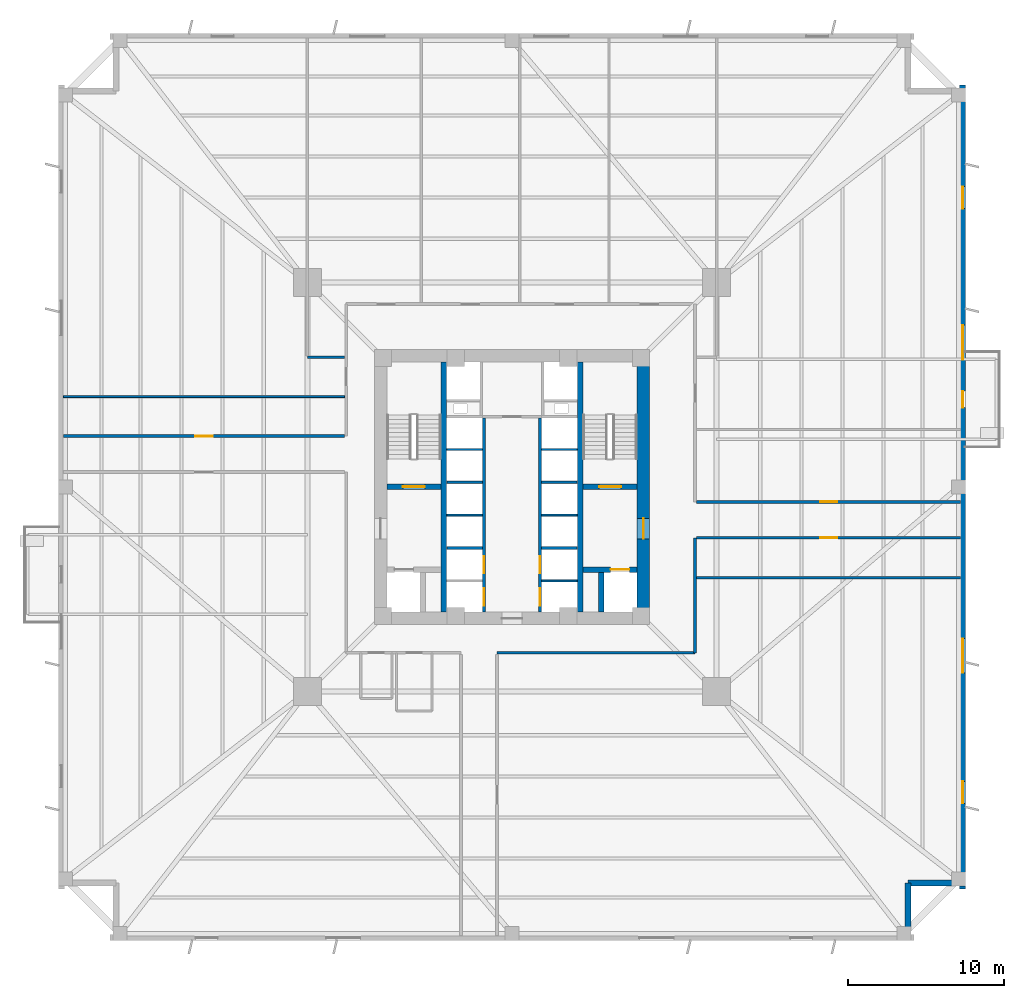
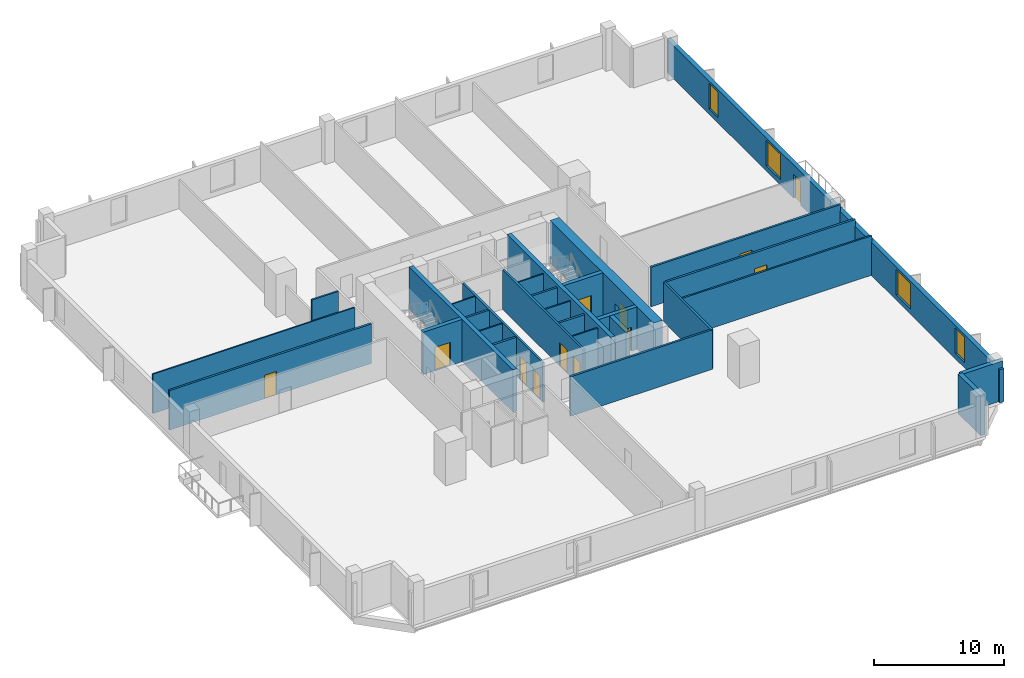
# One storey, part 3 of 8: 29 walls, 12 doors, 4 windows, 16 openings.
"""IFC4 building model written with IfcOpenShell, lengths in metres."""

import ifcopenshell
import ifcopenshell.guid

model = None  # the IFC model being written
_history = None  # IfcOwnerHistory: only IFC2X3 demands one
_inside = {}  # id of a spatial element -> (the spatial element, [elements in it])
_under = {}  # id of a project, library or spatial element -> (it, [spatial elements below it])
_declared = {}  # id of a project -> (the project, [libraries it declares])
_typed = {}  # id of a type object -> (the type object, [elements of that type])
_made_of = {}  # id of a material, layer set ... -> (it, [elements and type objects made of it])


def new_model(schema):
    """Start an empty IFC model of exactly this schema.

    Asked for "IFC4X3", IfcOpenShell would pick the latest addendum, in which some entities
    have other attributes; the version numbers below select the first issue.
    IFC2X3 requires an IfcOwnerHistory on every rooted entity: one is made here for all.
    """
    global model, _history
    if schema == "IFC4X3":
        model = ifcopenshell.file(schema_version=(4, 3, 0, 0))
    else:
        model = ifcopenshell.file(schema=schema)
    _inside.clear()
    _under.clear()
    _declared.clear()
    _typed.clear()
    _made_of.clear()
    _history = None
    if model.schema == "IFC2X3":
        org = make("IfcOrganization", Name="unknown")
        user = make(
            "IfcPersonAndOrganization",
            ThePerson=make("IfcPerson", FamilyName="unknown"),
            TheOrganization=org,
        )
        app = make(
            "IfcApplication",
            ApplicationDeveloper=org,
            Version="unknown",
            ApplicationFullName="unknown",
            ApplicationIdentifier="unknown",
        )
        _history = make(
            "IfcOwnerHistory",
            OwningUser=user,
            OwningApplication=app,
            ChangeAction="ADDED",
            CreationDate=0,
        )
    return model


def make(cls, **values):
    """One entity of the class cls with the attributes given. An attribute that is None is left unset."""
    return model.create_entity(
        cls, **{name: value for name, value in values.items() if value is not None}
    )


def rooted(cls, **values):
    """An entity with a GlobalId (a new one), such as an element, a storey or a relation."""
    return make(cls, GlobalId=ifcopenshell.guid.new(), OwnerHistory=_history, **values)


def si_unit(unit_type, name, prefix=None):
    """IfcSIUnit, for example si_unit("LENGTHUNIT", "METRE", prefix="MILLI")."""
    return make("IfcSIUnit", UnitType=unit_type, Prefix=prefix, Name=name)


def assignment(units):
    """IfcUnitAssignment: the units of a project."""
    return None if units is None else make("IfcUnitAssignment", Units=units)


def point(xyz):
    """IfcCartesianPoint."""
    return None if xyz is None else make("IfcCartesianPoint", Coordinates=xyz)


def direction(xyz):
    """IfcDirection."""
    return None if xyz is None else make("IfcDirection", DirectionRatios=xyz)


def frame(location, z_axis=None, x_axis=None):
    """IfcAxis2Placement3D, a coordinate frame: its origin and axes. An axis left out is left unset."""
    return make(
        "IfcAxis2Placement3D",
        Location=point(location),
        Axis=direction(z_axis),
        RefDirection=direction(x_axis),
    )


def frame_2d(location, x_axis=None):
    """IfcAxis2Placement2D, a coordinate frame in the plane: its origin and x axis."""
    return make(
        "IfcAxis2Placement2D", Location=point(location), RefDirection=direction(x_axis)
    )


def origin():
    """The frame at (0, 0, 0) with its axes left unset."""
    return frame((0.0, 0.0, 0.0))


def place(relative_to, where):
    """IfcLocalPlacement: puts the frame where relative to a parent placement (None: the world)."""
    return make(
        "IfcLocalPlacement", PlacementRelTo=relative_to, RelativePlacement=where
    )


def context(
    kind, dimensions, precision=None, world=None, true_north=None, identifier=None
):
    """IfcGeometricRepresentationContext, for example the 3D "Model" context."""
    return make(
        "IfcGeometricRepresentationContext",
        ContextIdentifier=identifier,
        ContextType=kind,
        CoordinateSpaceDimension=dimensions,
        Precision=precision,
        WorldCoordinateSystem=world,
        TrueNorth=true_north,
    )


def subcontext(parent, identifier, kind, view, scale=None):
    """IfcGeometricRepresentationSubContext, for example "Body" below "Model"."""
    return make(
        "IfcGeometricRepresentationSubContext",
        ContextIdentifier=identifier,
        ContextType=kind,
        ParentContext=parent,
        TargetScale=scale,
        TargetView=view,
    )


def project(units=None, contexts=None):
    """IfcProject with its units and contexts."""
    return rooted(
        "IfcProject",
        Name="project",
        RepresentationContexts=contexts,
        UnitsInContext=assignment(units),
    )


def spatial(cls, under=None, at=None, **own):
    """A site, building, storey or space (cls), placed at a placement, below another one or the project."""
    s = rooted(cls, ObjectPlacement=at, **own)
    if under is not None:
        _under.setdefault(under.id(), (under, []))[1].append(s)
    return s


def profile(cls, at=None, kind="AREA", **sizes):
    """A parametric profile (cls). Its sizes go by their IFC names, for example OverallWidth=200.0."""
    return make(cls, ProfileType=kind, Position=at, **sizes)


def rectangle(**sizes):
    """IfcRectangleProfileDef."""
    return profile("IfcRectangleProfileDef", **sizes)


def extrude(swept, where, along, depth):
    """IfcExtrudedAreaSolid: the profile swept, set in the frame where, extruded along a direction by depth."""
    return make(
        "IfcExtrudedAreaSolid",
        SweptArea=swept,
        Position=where,
        ExtrudedDirection=direction(along),
        Depth=depth,
    )


def shape(context_of_items, identifier, shape_type, items):
    """IfcShapeRepresentation: the items that make up one representation, for example the "Body"."""
    return make(
        "IfcShapeRepresentation",
        ContextOfItems=context_of_items,
        RepresentationIdentifier=identifier,
        RepresentationType=shape_type,
        Items=items,
    )


def source(mapping_origin, context_of_items, identifier, shape_type, items):
    """IfcRepresentationMap: a shape defined once, which mapped items show again and again."""
    return make(
        "IfcRepresentationMap",
        MappingOrigin=mapping_origin,
        MappedRepresentation=shape(context_of_items, identifier, shape_type, items),
    )


def transform(
    local_origin,
    x_axis=None,
    y_axis=None,
    z_axis=None,
    scale=None,
    scale2=None,
    scale3=None,
    uniform=True,
):
    """IfcCartesianTransformationOperator3D, or its non-uniform kind. x_axis, y_axis, z_axis: its Axis1, 2, 3."""
    if uniform:
        return make(
            "IfcCartesianTransformationOperator3D",
            Axis1=direction(x_axis),
            Axis2=direction(y_axis),
            LocalOrigin=point(local_origin),
            Scale=scale,
            Axis3=direction(z_axis),
        )
    return make(
        "IfcCartesianTransformationOperator3DnonUniform",
        Axis1=direction(x_axis),
        Axis2=direction(y_axis),
        LocalOrigin=point(local_origin),
        Scale=scale,
        Axis3=direction(z_axis),
        Scale2=scale2,
        Scale3=scale3,
    )


def mapped(mapping_source, mapping_target):
    """IfcMappedItem: shows the shape of a source again, moved by a transform."""
    return make(
        "IfcMappedItem", MappingSource=mapping_source, MappingTarget=mapping_target
    )


def material(Name=None, Category=None):
    """IfcMaterial."""
    return make("IfcMaterial", Name=Name, Category=Category)


def layer(
    of_material, thickness, ventilated=None, Name=None, Category=None, Priority=None
):
    """IfcMaterialLayer: one layer of a wall or slab, of a material (None: an air gap)."""
    return make(
        "IfcMaterialLayer",
        Material=of_material,
        LayerThickness=thickness,
        IsVentilated=ventilated,
        Name=Name,
        Category=Category,
        Priority=Priority,
    )


def layer_set(layers, Name=None):
    """IfcMaterialLayerSet."""
    return make("IfcMaterialLayerSet", MaterialLayers=layers, LayerSetName=Name)


def made_of(thing, what):
    """Note that an element or type object is made of a material, layer set ...; save() writes the relation."""
    if what is not None:
        _made_of.setdefault(what.id(), (what, []))[1].append(thing)
    return thing


def type_object(cls, material=None, **own):
    """A type object (cls), such as IfcWallType, which elements share."""
    return made_of(rooted(cls, **own), material)


def element(
    cls,
    number,
    at=None,
    inside=None,
    cuts=None,
    type_object=None,
    material=None,
    context=None,
    identifier="Body",
    shape_type=None,
    held_by="IfcProductDefinitionShape",
    body=None,
    shapes=None,
    **own,
):
    """One element of the class cls, such as IfcWall. Its Tag is "e" and its number.

    at: its placement. inside: the storey or other place that contains it. cuts: it is an
    opening in that element (IfcRelVoidsElement). A single representation is given by context,
    identifier, shape_type and body (its items); several are given by shapes. held_by: the class
    of the entity that holds the representations. save() writes the other relations.
    """
    e = rooted(cls, Tag="e%d" % number, ObjectPlacement=at, **own)
    if body is not None:
        shapes = [shape(context, identifier, shape_type, body)]
    if shapes is not None:
        e.Representation = make(held_by, Representations=shapes)
    if inside is not None:
        _inside.setdefault(inside.id(), (inside, []))[1].append(e)
    if cuts is not None:
        rooted(
            "IfcRelVoidsElement", RelatingBuildingElement=cuts, RelatedOpeningElement=e
        )
    if type_object is not None:
        _typed.setdefault(type_object.id(), (type_object, []))[1].append(e)
    return made_of(e, material)


def fill(opening, filler):
    """IfcRelFillsElement: the door or window that sits in an opening."""
    return rooted(
        "IfcRelFillsElement",
        RelatingOpeningElement=opening,
        RelatedBuildingElement=filler,
    )


def aggregate(whole, parts):
    """IfcRelAggregates: a whole, such as a stair, and the parts it consists of."""
    return rooted("IfcRelAggregates", RelatingObject=whole, RelatedObjects=parts)


def save(model, path):
    """Write the relations noted so far, then the file.

    IfcRelAggregates (storeys below a building ...), IfcRelContainedInSpatialStructure (elements
    in a storey), IfcRelDefinesByType, IfcRelAssociatesMaterial and IfcRelDeclares: one each for
    every whole, place, type object, material and project.
    """
    for whole, parts in _under.values():
        aggregate(whole, parts)
    for where, things in _inside.values():
        rooted(
            "IfcRelContainedInSpatialStructure",
            RelatedElements=things,
            RelatingStructure=where,
        )
    for kind, things in _typed.values():
        rooted("IfcRelDefinesByType", RelatedObjects=things, RelatingType=kind)
    for what, things in _made_of.values():
        rooted("IfcRelAssociatesMaterial", RelatedObjects=things, RelatingMaterial=what)
    for by, libraries in _declared.values():
        rooted("IfcRelDeclares", RelatingContext=by, RelatedDefinitions=libraries)
    model.write(path)


model = new_model("IFC4")

# Units and contexts
model_context = context("Model", 3, precision=1e-05, world=origin(), true_north=direction((0.0, 1.0)))
body_context = subcontext(model_context, "Body", "Model", "MODEL_VIEW")
ifc_project = project(units=[si_unit("LENGTHUNIT", "METRE"), si_unit("AREAUNIT", "SQUARE_METRE"), si_unit("VOLUMEUNIT", "CUBIC_METRE"), si_unit("PLANEANGLEUNIT", "RADIAN"), si_unit("MASSUNIT", "GRAM", prefix="KILO"), si_unit("THERMODYNAMICTEMPERATUREUNIT", "KELVIN")], contexts=[model_context])

# Site, building, storey
site_placement = place(None, origin())
site = spatial("IfcSite", under=ifc_project, at=site_placement, CompositionType="ELEMENT")
building_placement = place(site_placement, origin())
building = spatial("IfcBuilding", under=site, at=building_placement, Name="Kosmvard Interchange Tower", CompositionType="ELEMENT")
storey_placement = place(building_placement, frame((0.0, 0.0, 46.0)))
storey = spatial("IfcBuildingStorey", under=building, at=storey_placement, Name="L10", CompositionType="ELEMENT", Elevation=46.0)

# Walls
ifc_material_1 = material(Name="Acoustic gypsum partition system")
ifc_layer_1 = layer(ifc_material_1, 0.14990234375, Name="Acoustic gypsum partition system")
ifc_layer_set_1 = layer_set([ifc_layer_1], Name="Acoustic gypsum partition system")
wall_type_1 = type_object("IfcWallType", Name="Acoustic Suite & Meeting Partition 150", PredefinedType="PARTITIONING", material=ifc_layer_set_1)
wall_1_placement = place(storey_placement, frame((-10.695068359375, 8.300048828125, 0.0), z_axis=(0.0, 0.0, 1.0), x_axis=(-1.0, 0.0, 0.0)))
element("IfcWall", 1, at=wall_1_placement, inside=storey, type_object=wall_type_1, Name="L10 Room Partition 01.1", PredefinedType="PARTITIONING", context=body_context, shape_type="SweptSolid", body=[
    extrude(rectangle(XDim=2.385986328125, YDim=0.14990234375, at=frame_2d((1.19287109375, 0.0))), origin(), (0.0, 0.0, 1.0), 3.719970703125),
])
wall_2_placement = place(storey_placement, frame((11.794921875, -5.800048828125, 0.0), z_axis=(0.0, 0.0, 1.0), x_axis=(1.0, 0.0, 0.0)))
element("IfcWall", 2, at=wall_2_placement, inside=storey, type_object=wall_type_1, Name="L10 Room Partition 10.1", PredefinedType="PARTITIONING", context=body_context, shape_type="SweptSolid", body=[
    extrude(rectangle(XDim=16.89013671875, YDim=0.14990234375, at=frame_2d((8.445068359375, 0.0))), origin(), (0.0, 0.0, 1.0), 3.719970703125),
])

# Wall, openings, doors
ifc_material_2 = material(Name="Fire-rated gypsum partition system")
ifc_layer_2 = layer(ifc_material_2, 0.179931640625, Name="Fire-rated gypsum partition system")
ifc_layer_set_2 = layer_set([ifc_layer_2], Name="Fire-rated gypsum partition system")
wall_type_2 = type_object("IfcWallType", Name="Corridor & Hotel Compartment Partition 180", PredefinedType="PARTITIONING", material=ifc_layer_set_2)
wall_3_placement = place(storey_placement, frame((-1.7900390625, -7.97998046875, 0.0), z_axis=(0.0, 0.0, 1.0), x_axis=(0.0, 1.0, 0.0)))
wall_3 = element("IfcWall", 3, at=wall_3_placement, inside=storey, type_object=wall_type_2, Name="L10 West Lift Bank Front Wall", PredefinedType="PARTITIONING", context=body_context, shape_type="SweptSolid", body=[
    extrude(rectangle(XDim=12.3798828125, YDim=0.179931640625, at=frame_2d((6.18994140625, 0.0))), origin(), (0.0, 0.0, 1.0), 3.719970703125),
])
opening_1_placement = place(wall_3_placement, frame((0.39990234375, 0.0, 0.0)))
opening_1 = element("IfcOpeningElement", 4, at=opening_1_placement, cuts=wall_3, Name="Opening LD-PL-L1-L10", PredefinedType="OPENING", context=body_context, shape_type="SweptSolid", body=[
    extrude(rectangle(XDim=1.10009765625, YDim=2.199951171875, at=frame_2d((0.550048828125, 1.10009765625))), frame((0.0, 0.10009765625, 0.0), z_axis=(0.0, -1.0, 0.0), x_axis=(1.0, 0.0, 0.0)), (0.0, 0.0, 1.0), 0.199951171875),
])
opening_2_placement = place(wall_3_placement, frame((2.4599609375, 0.0, 0.0)))
opening_2 = element("IfcOpeningElement", 5, at=opening_2_placement, cuts=wall_3, Name="Opening LD-PL-L2-L10", PredefinedType="OPENING", context=body_context, shape_type="SweptSolid", body=[
    extrude(rectangle(XDim=1.10009765625, YDim=2.199951171875, at=frame_2d((0.550048828125, 1.10009765625))), frame((0.0, 0.10009765625, 0.0), z_axis=(0.0, -1.0, 0.0), x_axis=(1.0, 0.0, 0.0)), (0.0, 0.0, 1.0), 0.199951171875),
])
ifc_material_3 = material(Name="Brushed stainless steel sliding leaf", Category="steel")
door_type_1 = type_object("IfcDoorType", Name="Passenger Lift Sliding Landing Door 1100x2200 EI60", OperationType="DOUBLE_DOOR_SLIDING", PredefinedType="DOOR", material=ifc_material_3)
shared_shape_1 = source(origin(), body_context, "Body", "SweptSolid", [
    extrude(rectangle(XDim=1.10009765625, YDim=2.199951171875, at=frame_2d((0.550048828125, 1.10009765625))), frame((0.0, 0.02490234375, 0.0), z_axis=(0.0, -1.0, 0.0), x_axis=(1.0, 0.0, 0.0)), (0.0, 0.0, 1.0), 0.050048828125),
])
door_1_placement = place(opening_1_placement, frame((1.10009765625, 0.0, 0.0), z_axis=(0.0, 0.0, 1.0), x_axis=(-1.0, 0.0, 0.0)))
door_1 = element("IfcDoor", 6, at=door_1_placement, inside=storey, type_object=door_type_1, Name="Lift PL-L1 Landing Door L10", OperationType="DOUBLE_DOOR_SLIDING", OverallHeight=2.199951171875, OverallWidth=1.10009765625, PredefinedType="DOOR", context=body_context, shape_type="MappedRepresentation", body=[
    mapped(shared_shape_1, transform((0.0, 0.0, 0.0), scale=1.0)),
])
fill(opening_1, door_1)
door_2_placement = place(opening_2_placement, frame((1.10009765625, 0.0, 0.0), z_axis=(0.0, 0.0, 1.0), x_axis=(-1.0, 0.0, 0.0)))
door_2 = element("IfcDoor", 7, at=door_2_placement, inside=storey, type_object=door_type_1, Name="Lift PL-L2 Landing Door L10", OperationType="DOUBLE_DOOR_SLIDING", OverallHeight=2.199951171875, OverallWidth=1.10009765625, PredefinedType="DOOR", context=body_context, shape_type="MappedRepresentation", body=[
    mapped(shared_shape_1, transform((0.0, 0.0, 0.0), scale=1.0)),
])
fill(opening_2, door_2)

wall_4_placement = place(storey_placement, frame((1.7900390625, -7.97998046875, 0.0), z_axis=(0.0, 0.0, 1.0), x_axis=(0.0, 1.0, 0.0)))
wall_4 = element("IfcWall", 8, at=wall_4_placement, inside=storey, type_object=wall_type_2, Name="L10 East Lift Bank Front Wall", PredefinedType="PARTITIONING", context=body_context, shape_type="SweptSolid", body=[
    extrude(rectangle(XDim=12.3798828125, YDim=0.179931640625, at=frame_2d((6.18994140625, 0.0))), origin(), (0.0, 0.0, 1.0), 3.719970703125),
])
opening_3_placement = place(wall_4_placement, frame((0.39990234375, 0.0, 0.0)))
opening_3 = element("IfcOpeningElement", 9, at=opening_3_placement, cuts=wall_4, Name="Opening LD-PL-L3-L10", PredefinedType="OPENING", context=body_context, shape_type="SweptSolid", body=[
    extrude(rectangle(XDim=1.10009765625, YDim=2.199951171875, at=frame_2d((0.550048828125, 1.10009765625))), frame((0.0, 0.10009765625, 0.0), z_axis=(0.0, -1.0, 0.0), x_axis=(1.0, 0.0, 0.0)), (0.0, 0.0, 1.0), 0.199951171875),
])
opening_4_placement = place(wall_4_placement, frame((2.4599609375, 0.0, 0.0)))
opening_4 = element("IfcOpeningElement", 10, at=opening_4_placement, cuts=wall_4, Name="Opening LD-PL-L4-L10", PredefinedType="OPENING", context=body_context, shape_type="SweptSolid", body=[
    extrude(rectangle(XDim=1.10009765625, YDim=2.199951171875, at=frame_2d((0.550048828125, 1.10009765625))), frame((0.0, 0.10009765625, 0.0), z_axis=(0.0, -1.0, 0.0), x_axis=(1.0, 0.0, 0.0)), (0.0, 0.0, 1.0), 0.199951171875),
])
door_3_placement = place(opening_3_placement, origin())
door_3 = element("IfcDoor", 11, at=door_3_placement, inside=storey, type_object=door_type_1, Name="Lift PL-L3 Landing Door L10", OperationType="DOUBLE_DOOR_SLIDING", OverallHeight=2.199951171875, OverallWidth=1.10009765625, PredefinedType="DOOR", context=body_context, shape_type="MappedRepresentation", body=[
    mapped(shared_shape_1, transform((0.0, 0.0, 0.0), scale=1.0)),
])
fill(opening_3, door_3)
door_4_placement = place(opening_4_placement, origin())
door_4 = element("IfcDoor", 12, at=door_4_placement, inside=storey, type_object=door_type_1, Name="Lift PL-L4 Landing Door L10", OperationType="DOUBLE_DOOR_SLIDING", OverallHeight=2.199951171875, OverallWidth=1.10009765625, PredefinedType="DOOR", context=body_context, shape_type="MappedRepresentation", body=[
    mapped(shared_shape_1, transform((0.0, 0.0, 0.0), scale=1.0)),
])
fill(opening_4, door_4)

# Walls
wall_5_placement = place(storey_placement, frame((-0.949951171875, -10.60009765625, 0.0), z_axis=(0.0, 0.0, 1.0), x_axis=(1.0, 0.0, 0.0)))
element("IfcWall", 13, at=wall_5_placement, inside=storey, type_object=wall_type_2, Name="L10 Corridor Wall CSE", PredefinedType="PARTITIONING", context=body_context, shape_type="SweptSolid", body=[
    extrude(rectangle(XDim=12.64990234375, YDim=0.179931640625, at=frame_2d((6.324951171875, 0.0))), origin(), (0.0, 0.0, 1.0), 3.719970703125),
])
wall_6_placement = place(storey_placement, frame((11.699951171875, -10.60009765625, 0.0), z_axis=(0.0, 0.0, 1.0), x_axis=(0.0, 1.0, 0.0)))
element("IfcWall", 14, at=wall_6_placement, inside=storey, type_object=wall_type_2, Name="L10 Corridor Wall CES", PredefinedType="PARTITIONING", context=body_context, shape_type="SweptSolid", body=[
    extrude(rectangle(XDim=7.35009765625, YDim=0.179931640625, at=frame_2d((3.675048828125, 0.0))), origin(), (0.0, 0.0, 1.0), 3.719970703125),
])

# Wall, opening, door
wall_7_placement = place(storey_placement, frame((-28.68505859375, 3.25, 0.0), z_axis=(0.0, 0.0, 1.0), x_axis=(1.0, 0.0, 0.0)))
wall_7 = element("IfcWall", 15, at=wall_7_placement, inside=storey, type_object=wall_type_2, Name="L10 Corridor Wall SWN", PredefinedType="PARTITIONING", context=body_context, shape_type="SweptSolid", body=[
    extrude(rectangle(XDim=17.985107421875, YDim=0.179931640625, at=frame_2d((8.99267578125, 0.0))), origin(), (0.0, 0.0, 1.0), 3.719970703125),
])
opening_5_placement = place(wall_7_placement, frame((8.4423828125, 0.0, 0.0)))
opening_5 = element("IfcOpeningElement", 16, at=opening_5_placement, cuts=wall_7, Name="Opening L10-D03", PredefinedType="OPENING", context=body_context, shape_type="SweptSolid", body=[
    extrude(rectangle(XDim=1.10009765625, YDim=2.199951171875, at=frame_2d((0.550048828125, 1.10009765625))), frame((0.0, 0.10009765625, 0.0), z_axis=(0.0, -1.0, 0.0), x_axis=(1.0, 0.0, 0.0)), (0.0, 0.0, 1.0), 0.199951171875),
])
ifc_material_4 = material(Name="Engineered oak fire-rated timber", Category="wood")
door_type_2 = type_object("IfcDoorType", Name="Office Suite Entrance Door 1100x2200 FD30S", OperationType="NOTDEFINED", PredefinedType="DOOR", material=ifc_material_4)
door_5_placement = place(opening_5_placement, origin())
door_5 = element("IfcDoor", 17, at=door_5_placement, inside=storey, type_object=door_type_2, Name="L10 West Corner Office 1 Door", OperationType="SINGLE_SWING_LEFT", OverallHeight=2.199951171875, OverallWidth=1.10009765625, PredefinedType="DOOR", context=body_context, shape_type="MappedRepresentation", body=[
    mapped(shared_shape_1, transform((0.0, 0.0, 0.0), scale=1.0)),
])
fill(opening_5, door_5)

wall_8_placement = place(storey_placement, frame((11.800048828125, -3.25, 0.0), z_axis=(0.0, 0.0, 1.0), x_axis=(1.0, 0.0, 0.0)))
wall_8 = element("IfcWall", 18, at=wall_8_placement, inside=storey, type_object=wall_type_2, Name="L10 Corridor Wall SES", PredefinedType="PARTITIONING", context=body_context, shape_type="SweptSolid", body=[
    extrude(rectangle(XDim=16.885009765625, YDim=0.179931640625, at=frame_2d((8.4423828125, 0.0))), origin(), (0.0, 0.0, 1.0), 3.719970703125),
])
opening_6_placement = place(wall_8_placement, frame((7.892578125, 0.0, 0.0)))
opening_6 = element("IfcOpeningElement", 19, at=opening_6_placement, cuts=wall_8, Name="Opening L10-D11", PredefinedType="OPENING", context=body_context, shape_type="SweptSolid", body=[
    extrude(rectangle(XDim=1.10009765625, YDim=2.199951171875, at=frame_2d((0.550048828125, 1.10009765625))), frame((0.0, 0.10009765625, 0.0), z_axis=(0.0, -1.0, 0.0), x_axis=(1.0, 0.0, 0.0)), (0.0, 0.0, 1.0), 0.199951171875),
])
door_6_placement = place(opening_6_placement, frame((1.10009765625, 0.0, 0.0), z_axis=(0.0, 0.0, 1.0), x_axis=(-1.0, 0.0, 0.0)))
door_6 = element("IfcDoor", 20, at=door_6_placement, inside=storey, type_object=door_type_2, Name="L10 Staff Catering Pantry Door", OperationType="SINGLE_SWING_LEFT", OverallHeight=2.199951171875, OverallWidth=1.10009765625, PredefinedType="DOOR", context=body_context, shape_type="MappedRepresentation", body=[
    mapped(shared_shape_1, transform((0.0, 0.0, 0.0), scale=1.0)),
])
fill(opening_6, door_6)

wall_9_placement = place(storey_placement, frame((11.800048828125, -0.949951171875, 0.0), z_axis=(0.0, 0.0, 1.0), x_axis=(1.0, 0.0, 0.0)))
wall_9 = element("IfcWall", 21, at=wall_9_placement, inside=storey, type_object=wall_type_2, Name="L10 Corridor Wall SEN", PredefinedType="PARTITIONING", context=body_context, shape_type="SweptSolid", body=[
    extrude(rectangle(XDim=16.885009765625, YDim=0.179931640625, at=frame_2d((8.4423828125, 0.0))), origin(), (0.0, 0.0, 1.0), 3.719970703125),
])
opening_7_placement = place(wall_9_placement, frame((7.892578125, 0.0, 0.0)))
opening_7 = element("IfcOpeningElement", 22, at=opening_7_placement, cuts=wall_9, Name="Opening L10-D09", PredefinedType="OPENING", context=body_context, shape_type="SweptSolid", body=[
    extrude(rectangle(XDim=1.10009765625, YDim=2.199951171875, at=frame_2d((0.550048828125, 1.10009765625))), frame((0.0, 0.10009765625, 0.0), z_axis=(0.0, -1.0, 0.0), x_axis=(1.0, 0.0, 0.0)), (0.0, 0.0, 1.0), 0.199951171875),
])
door_7_placement = place(opening_7_placement, origin())
door_7 = element("IfcDoor", 23, at=door_7_placement, inside=storey, type_object=door_type_2, Name="L10 East Advisory Office 5 Door", OperationType="SINGLE_SWING_LEFT", OverallHeight=2.199951171875, OverallWidth=1.10009765625, PredefinedType="DOOR", context=body_context, shape_type="MappedRepresentation", body=[
    mapped(shared_shape_1, transform((0.0, 0.0, 0.0), scale=1.0)),
])
fill(opening_7, door_7)

ifc_material_5 = material(Name="Concrete C80/95", Category="concrete")
ifc_layer_3 = layer(ifc_material_5, 0.800048828125, Name="Concrete C80/95")
ifc_layer_set_3 = layer_set([ifc_layer_3], Name="Concrete C80/95")
wall_type_3 = type_object("IfcWallType", Name="Lower Core Shear Wall 800 C80/95", PredefinedType="SHEAR", material=ifc_layer_set_3)
wall_10_placement = place(storey_placement, frame((8.39990234375, -8.0, 0.0), z_axis=(0.0, 0.0, 1.0), x_axis=(0.0, 1.0, 0.0)))
wall_10 = element("IfcWall", 24, at=wall_10_placement, inside=storey, type_object=wall_type_3, Name="L10 Core Shear Wall CW-E", PredefinedType="SHEAR", context=body_context, shape_type="SweptSolid", body=[
    extrude(rectangle(XDim=16.0, YDim=0.800048828125, at=frame_2d((8.0, 0.0))), origin(), (0.0, 0.0, 1.0), 4.0),
])
opening_8_placement = place(wall_10_placement, frame((4.68994140625, 0.0, 0.0)))
opening_8 = element("IfcOpeningElement", 25, at=opening_8_placement, cuts=wall_10, Name="Opening L10-FD2", PredefinedType="OPENING", context=body_context, shape_type="SweptSolid", body=[
    extrude(rectangle(XDim=1.300048828125, YDim=2.199951171875, at=frame_2d((0.64990234375, 1.10009765625))), frame((0.0, 0.41015625, 0.0), z_axis=(0.0, -1.0, 0.0), x_axis=(1.0, 0.0, 0.0)), (0.0, 0.0, 1.0), 0.820068359375),
])
ifc_material_6 = material(Name="Painted fire-rated steel leaf", Category="steel")
door_type_3 = type_object("IfcDoorType", Name="Firefighting Lobby Door 1300x2200 EI60", OperationType="NOTDEFINED", PredefinedType="DOOR", material=ifc_material_6)
shared_shape_2 = source(origin(), body_context, "Body", "SweptSolid", [
    extrude(rectangle(XDim=1.300048828125, YDim=2.199951171875, at=frame_2d((0.64990234375, 1.10009765625))), frame((0.0, 0.02490234375, 0.0), z_axis=(0.0, -1.0, 0.0), x_axis=(1.0, 0.0, 0.0)), (0.0, 0.0, 1.0), 0.050048828125),
])
door_8_placement = place(opening_8_placement, origin())
door_8 = element("IfcDoor", 26, at=door_8_placement, inside=storey, type_object=door_type_3, Name="L10 Firefighting Lobby East Door", OperationType="SINGLE_SWING_RIGHT", OverallHeight=2.199951171875, OverallWidth=1.300048828125, PredefinedType="DOOR", context=body_context, shape_type="MappedRepresentation", body=[
    mapped(shared_shape_2, transform((0.0, 0.0, 0.0), scale=1.0)),
])
fill(opening_8, door_8)

# Walls
ifc_material_7 = material(Name="Precast concrete C45/55", Category="concrete")
ifc_layer_4 = layer(ifc_material_7, 0.3798828125, Name="Precast concrete C45/55")
ifc_layer_set_4 = layer_set([ifc_layer_4], Name="Precast concrete C45/55")
wall_type_4 = type_object("IfcWallType", Name="Lower Tower Precast Pier Wall 380 C45/55", PredefinedType="STANDARD", material=ifc_layer_set_4)
wall_11_placement = place(storey_placement, frame((25.31005859375, -28.81005859375, 0.0), z_axis=(0.0, 0.0, 1.0), x_axis=(0.0, 1.0, 0.0)))
element("IfcWall", 27, at=wall_11_placement, inside=storey, type_object=wall_type_4, Name="L10 Precast Facade Wall N-SE1", PredefinedType="STANDARD", context=body_context, shape_type="SweptSolid", body=[
    extrude(rectangle(XDim=3.5, YDim=0.3798828125, at=frame_2d((1.75, 0.0))), origin(), (0.0, 0.0, 1.0), 3.719970703125),
])
wall_12_placement = place(storey_placement, frame((25.31005859375, -25.31005859375, 0.0), z_axis=(0.0, 0.0, 1.0), x_axis=(1.0, 0.0, 0.0)))
element("IfcWall", 28, at=wall_12_placement, inside=storey, type_object=wall_type_4, Name="L10 Precast Facade Wall N-SE2", PredefinedType="STANDARD", context=body_context, shape_type="SweptSolid", body=[
    extrude(rectangle(XDim=3.68994140625, YDim=0.3798828125, at=frame_2d((1.844970703125, 0.0))), origin(), (0.0, 0.0, 1.0), 3.719970703125),
])

# Wall, openings, door, windows
wall_13_placement = place(storey_placement, frame((28.81005859375, -25.68994140625, 0.0), z_axis=(0.0, 0.0, 1.0), x_axis=(0.0, 1.0, 0.0)))
wall_13 = element("IfcWall", 29, at=wall_13_placement, inside=storey, type_object=wall_type_4, Name="L10 Precast Facade Wall F-E", PredefinedType="STANDARD", context=body_context, shape_type="SweptSolid", body=[
    extrude(rectangle(XDim=51.3798828125, YDim=0.3798828125, at=frame_2d((25.68994140625, 0.0))), origin(), (0.0, 0.0, 1.0), 3.1201171875),
])
opening_9_placement = place(wall_13_placement, frame((30.764892578125, 0.0, 0.0)))
opening_9 = element("IfcOpeningElement", 30, at=opening_9_placement, cuts=wall_13, Name="Opening L10-BDE", PredefinedType="OPENING", context=body_context, shape_type="SweptSolid", body=[
    extrude(rectangle(XDim=1.050048828125, YDim=2.25, at=frame_2d((0.52490234375, 1.125))), frame((0.0, 0.199951171875, 0.0), z_axis=(0.0, -1.0, 0.0), x_axis=(1.0, 0.0, 0.0)), (0.0, 0.0, 1.0), 0.39990234375),
])
opening_10_placement = place(wall_13_placement, frame((5.465576171875, 0.0, 0.489990234375)))
opening_10 = element("IfcOpeningElement", 31, at=opening_10_placement, cuts=wall_13, Name="Opening L10-W05", PredefinedType="OPENING", context=body_context, shape_type="SweptSolid", body=[
    extrude(rectangle(XDim=1.39990234375, YDim=2.39990234375, at=frame_2d((0.699951171875, 1.199951171875))), frame((0.0, 0.199951171875, 0.0), z_axis=(0.0, -1.0, 0.0), x_axis=(1.0, 0.0, 0.0)), (0.0, 0.0, 1.0), 0.39990234375),
])
opening_11_placement = place(wall_13_placement, frame((13.80029296875, 0.0, 0.489990234375)))
opening_11 = element("IfcOpeningElement", 32, at=opening_11_placement, cuts=wall_13, Name="Opening L10-W06", PredefinedType="OPENING", context=body_context, shape_type="SweptSolid", body=[
    extrude(rectangle(XDim=2.199951171875, YDim=2.39990234375, at=frame_2d((1.10009765625, 1.199951171875))), frame((0.0, 0.199951171875, 0.0), z_axis=(0.0, -1.0, 0.0), x_axis=(1.0, 0.0, 0.0)), (0.0, 0.0, 1.0), 0.39990234375),
])
opening_12_placement = place(wall_13_placement, frame((33.83837890625, 0.0, 0.489990234375)))
opening_12 = element("IfcOpeningElement", 33, at=opening_12_placement, cuts=wall_13, Name="Opening L10-W07", PredefinedType="OPENING", context=body_context, shape_type="SweptSolid", body=[
    extrude(rectangle(XDim=2.199951171875, YDim=2.39990234375, at=frame_2d((1.10009765625, 1.199951171875))), frame((0.0, 0.199951171875, 0.0), z_axis=(0.0, -1.0, 0.0), x_axis=(1.0, 0.0, 0.0)), (0.0, 0.0, 1.0), 0.39990234375),
])
opening_13_placement = place(wall_13_placement, frame((43.48681640625, 0.0, 0.489990234375)))
opening_13 = element("IfcOpeningElement", 34, at=opening_13_placement, cuts=wall_13, Name="Opening L10-W08", PredefinedType="OPENING", context=body_context, shape_type="SweptSolid", body=[
    extrude(rectangle(XDim=1.39990234375, YDim=2.39990234375, at=frame_2d((0.699951171875, 1.199951171875))), frame((0.0, 0.199951171875, 0.0), z_axis=(0.0, -1.0, 0.0), x_axis=(1.0, 0.0, 0.0)), (0.0, 0.0, 1.0), 0.39990234375),
])
ifc_material_8 = material(Name="Anodised aluminium and safety glass", Category="aluminium")
door_type_4 = type_object("IfcDoorType", Name="Tree-Balcony Glazed Door 1050x2250", OperationType="NOTDEFINED", PredefinedType="DOOR", material=ifc_material_8)
shared_shape_3 = source(origin(), body_context, "Body", "SweptSolid", [
    extrude(rectangle(XDim=1.050048828125, YDim=2.25, at=frame_2d((0.52490234375, 1.125))), frame((0.0, 0.02490234375, 0.0), z_axis=(0.0, -1.0, 0.0), x_axis=(1.0, 0.0, 0.0)), (0.0, 0.0, 1.0), 0.050048828125),
])
door_9_placement = place(opening_9_placement, origin())
door_9 = element("IfcDoor", 35, at=door_9_placement, inside=storey, type_object=door_type_4, Name="L10 Tree-Balcony Door BAL-L10-E", OperationType="SINGLE_SWING_LEFT", OverallHeight=2.25, OverallWidth=1.050048828125, PredefinedType="DOOR", context=body_context, shape_type="MappedRepresentation", body=[
    mapped(shared_shape_3, transform((0.0, 0.0, 0.0), scale=1.0)),
])
fill(opening_9, door_9)
ifc_material_9 = material(Name="Low-E solar-control double glazing", Category="glass")
window_type_1 = type_object("IfcWindowType", Name="Notched Corner Feature Window 1400x2400", PartitioningType="SINGLE_PANEL", PredefinedType="WINDOW", material=ifc_material_9)
shared_shape_4 = source(origin(), body_context, "Body", "SweptSolid", [
    extrude(rectangle(XDim=1.39990234375, YDim=2.39990234375, at=frame_2d((0.699951171875, 1.199951171875))), frame((0.0, 0.030029296875, 0.0), z_axis=(0.0, -1.0, 0.0), x_axis=(1.0, 0.0, 0.0)), (0.0, 0.0, 1.0), 0.06005859375),
])
window_1_placement = place(opening_10_placement, origin())
window_1 = element("IfcWindow", 36, at=window_1_placement, inside=storey, type_object=window_type_1, Name="L10 Facade Punched Window 05", OverallHeight=2.39990234375, OverallWidth=1.39990234375, PartitioningType="SINGLE_PANEL", PredefinedType="WINDOW", context=body_context, shape_type="MappedRepresentation", body=[
    mapped(shared_shape_4, transform((0.0, 0.0, 0.0), scale=1.0)),
])
fill(opening_10, window_1)
window_2_placement = place(opening_13_placement, origin())
window_2 = element("IfcWindow", 37, at=window_2_placement, inside=storey, type_object=window_type_1, Name="L10 Facade Punched Window 08", OverallHeight=2.39990234375, OverallWidth=1.39990234375, PartitioningType="SINGLE_PANEL", PredefinedType="WINDOW", context=body_context, shape_type="MappedRepresentation", body=[
    mapped(shared_shape_4, transform((0.0, 0.0, 0.0), scale=1.0)),
])
fill(opening_13, window_2)
window_type_2 = type_object("IfcWindowType", Name="Zone 1 Office Punched Window 2200x2400", PartitioningType="SINGLE_PANEL", PredefinedType="WINDOW", material=ifc_material_9)
shared_shape_5 = source(origin(), body_context, "Body", "SweptSolid", [
    extrude(rectangle(XDim=2.199951171875, YDim=2.39990234375, at=frame_2d((1.10009765625, 1.199951171875))), frame((0.0, 0.030029296875, 0.0), z_axis=(0.0, -1.0, 0.0), x_axis=(1.0, 0.0, 0.0)), (0.0, 0.0, 1.0), 0.06005859375),
])
window_3_placement = place(opening_11_placement, origin())
window_3 = element("IfcWindow", 38, at=window_3_placement, inside=storey, type_object=window_type_2, Name="L10 Facade Punched Window 06", OverallHeight=2.39990234375, OverallWidth=2.199951171875, PartitioningType="SINGLE_PANEL", PredefinedType="WINDOW", context=body_context, shape_type="MappedRepresentation", body=[
    mapped(shared_shape_5, transform((0.0, 0.0, 0.0), scale=1.0)),
])
fill(opening_11, window_3)
window_4_placement = place(opening_12_placement, origin())
window_4 = element("IfcWindow", 39, at=window_4_placement, inside=storey, type_object=window_type_2, Name="L10 Facade Punched Window 07", OverallHeight=2.39990234375, OverallWidth=2.199951171875, PartitioningType="SINGLE_PANEL", PredefinedType="WINDOW", context=body_context, shape_type="MappedRepresentation", body=[
    mapped(shared_shape_5, transform((0.0, 0.0, 0.0), scale=1.0)),
])
fill(opening_12, window_4)

# Walls
ifc_material_10 = material(Name="Gypsum board partition system")
ifc_layer_5 = layer(ifc_material_10, 0.1201171875, Name="Gypsum board partition system")
ifc_layer_set_5 = layer_set([ifc_layer_5], Name="Gypsum board partition system")
wall_type_5 = type_object("IfcWallType", Name="Office Cellular Partition 120", PredefinedType="PARTITIONING", material=ifc_layer_set_5)
wall_14_placement = place(storey_placement, frame((-28.68505859375, 5.77490234375, 0.0), z_axis=(0.0, 0.0, 1.0), x_axis=(1.0, 0.0, 0.0)))
element("IfcWall", 40, at=wall_14_placement, inside=storey, type_object=wall_type_5, Name="L10 Room Partition 08.1", PredefinedType="PARTITIONING", context=body_context, shape_type="SweptSolid", body=[
    extrude(rectangle(XDim=17.989990234375, YDim=0.1201171875, at=frame_2d((8.9951171875, 0.0))), origin(), (0.0, 0.0, 1.0), 3.719970703125),
])
ifc_material_11 = material(Name="Concrete blockwork masonry", Category="masonry")
ifc_layer_6 = layer(ifc_material_11, 0.179931640625, Name="Concrete blockwork masonry")
ifc_layer_set_6 = layer_set([ifc_layer_6], Name="Concrete blockwork masonry")
wall_type_6 = type_object("IfcWallType", Name="Riser & Lift Bank Divider Wall 180", PredefinedType="PARTITIONING", material=ifc_layer_set_6)
for number, where, z_axis, x_axis, name in (
    (41, (-4.169921875, -3.89990234375, 0.0), (0.0, 0.0, 1.0), (1.0, 0.0, 0.0), "L10 West Bank Divider BD1"),
    (42, (1.889892578125, -3.89990234375, 0.0), (0.0, 0.0, 1.0), (1.0, 0.0, 0.0), "L10 East Bank Divider BD1"),
    (43, (-4.169921875, 0.300048828125, 0.0), (0.0, 0.0, 1.0), (1.0, 0.0, 0.0), "L10 West Bank Divider BD2"),
    (44, (1.889892578125, 0.300048828125, 0.0), (0.0, 0.0, 1.0), (1.0, 0.0, 0.0), "L10 East Bank Divider BD2"),
):
    element("IfcWall", number, at=place(storey_placement, frame(where, z_axis=z_axis, x_axis=x_axis)), inside=storey, type_object=wall_type_6, Name=name, PredefinedType="PARTITIONING", context=body_context, shape_type="SweptSolid", body=[
        extrude(rectangle(XDim=2.280029296875, YDim=0.179931640625, at=frame_2d((1.14013671875, 0.0))), origin(), (0.0, 0.0, 1.0), 3.719970703125),
    ])
ifc_material_12 = material(Name="Fire-rated gypsum shaftwall system")
ifc_layer_7 = layer(ifc_material_12, 0.1201171875, Name="Fire-rated gypsum shaftwall system")
ifc_layer_set_7 = layer_set([ifc_layer_7], Name="Fire-rated gypsum shaftwall system")
wall_type_7 = type_object("IfcWallType", Name="Shaft & Riser Fire Partition 120 EI60", PredefinedType="PARTITIONING", material=ifc_layer_set_7)
for number, where, z_axis, x_axis, name in (
    (45, (1.89990234375, -6.0, 0.0), (0.0, 0.0, 1.0), (1.0, 0.0, 0.0), "L10 Shaft Divider PL-L3"),
    (46, (-4.159912109375, -1.800048828125, 0.0), (0.0, 0.0, 1.0), (1.0, 0.0, 0.0), "L10 Shaft Divider PL-M1"),
    (47, (1.89990234375, -1.800048828125, 0.0), (0.0, 0.0, 1.0), (1.0, 0.0, 0.0), "L10 Shaft Divider PL-M3"),
    (48, (-4.159912109375, 2.39990234375, 0.0), (0.0, 0.0, 1.0), (1.0, 0.0, 0.0), "L10 Shaft Divider PL-H1"),
    (49, (1.89990234375, 2.39990234375, 0.0), (0.0, 0.0, 1.0), (1.0, 0.0, 0.0), "L10 Shaft Divider PL-H3"),
):
    element("IfcWall", number, at=place(storey_placement, frame(where, z_axis=z_axis, x_axis=x_axis)), inside=storey, type_object=wall_type_7, Name=name, PredefinedType="PARTITIONING", context=body_context, shape_type="SweptSolid", body=[
        extrude(rectangle(XDim=2.260009765625, YDim=0.1201171875, at=frame_2d((1.1298828125, 0.0))), origin(), (0.0, 0.0, 1.0), 3.719970703125),
    ])
ifc_material_13 = material(Name="Concrete C60/75", Category="concrete")
ifc_layer_8 = layer(ifc_material_13, 0.360107421875, Name="Concrete C60/75")
ifc_layer_set_8 = layer_set([ifc_layer_8], Name="Concrete C60/75")
wall_type_8 = type_object("IfcWallType", Name="Stair & Lift Shaft Shear Wall 360 C60/75", PredefinedType="SHEAR", material=ifc_layer_set_8)
for number, where, z_axis, x_axis, name in (
    (50, (-4.360107421875, -8.0, 0.0), (0.0, 0.0, 1.0), (0.0, 1.0, 0.0), "L10 Shaft Shear Wall SW-W"),
    (51, (4.360107421875, -8.0, 0.0), (0.0, 0.0, 1.0), (0.0, 1.0, 0.0), "L10 Shaft Shear Wall SW-E"),
):
    element("IfcWall", number, at=place(storey_placement, frame(where, z_axis=z_axis, x_axis=x_axis)), inside=storey, type_object=wall_type_8, Name=name, PredefinedType="SHEAR", context=body_context, shape_type="SweptSolid", body=[
        extrude(rectangle(XDim=16.0, YDim=0.360107421875, at=frame_2d((8.0, 0.0))), origin(), (0.0, 0.0, 1.0), 4.0),
    ])

# Wall, opening, door
wall_15_placement = place(storey_placement, frame((-8.0, 0.02001953125, 0.0), z_axis=(0.0, 0.0, 1.0), x_axis=(1.0, 0.0, 0.0)))
wall_15 = element("IfcWall", 52, at=wall_15_placement, inside=storey, type_object=wall_type_8, Name="L10 Shaft Shear Wall SW-ST1", PredefinedType="SHEAR", context=body_context, shape_type="SweptSolid", body=[
    extrude(rectangle(XDim=3.4599609375, YDim=0.360107421875, at=frame_2d((1.72998046875, 0.0))), origin(), (0.0, 0.0, 1.0), 4.0),
])
opening_14_placement = place(wall_15_placement, frame((1.030029296875, 0.0, 0.0)))
opening_14 = element("IfcOpeningElement", 53, at=opening_14_placement, cuts=wall_15, Name="Opening L10-SD1", PredefinedType="OPENING", context=body_context, shape_type="SweptSolid", body=[
    extrude(rectangle(XDim=1.39990234375, YDim=2.199951171875, at=frame_2d((0.699951171875, 1.10009765625))), frame((0.0, 0.18994140625, 0.0), z_axis=(0.0, -1.0, 0.0), x_axis=(1.0, 0.0, 0.0)), (0.0, 0.0, 1.0), 0.380126953125),
])
door_type_5 = type_object("IfcDoorType", Name="Protected Stair Door 1400x2200 FD60S", OperationType="NOTDEFINED", PredefinedType="DOOR", material=ifc_material_6)
shared_shape_6 = source(origin(), body_context, "Body", "SweptSolid", [
    extrude(rectangle(XDim=1.39990234375, YDim=2.199951171875, at=frame_2d((0.699951171875, 1.10009765625))), frame((0.0, 0.02490234375, 0.0), z_axis=(0.0, -1.0, 0.0), x_axis=(1.0, 0.0, 0.0)), (0.0, 0.0, 1.0), 0.050048828125),
])
door_10_placement = place(opening_14_placement, origin())
door_10 = element("IfcDoor", 54, at=door_10_placement, inside=storey, type_object=door_type_5, Name="L10 Stair ST-1 Enclosure Door", OperationType="SINGLE_SWING_LEFT", OverallHeight=2.199951171875, OverallWidth=1.39990234375, PredefinedType="DOOR", context=body_context, shape_type="MappedRepresentation", body=[
    mapped(shared_shape_6, transform((0.0, 0.0, 0.0), scale=1.0)),
])
fill(opening_14, door_10)

wall_16_placement = place(storey_placement, frame((4.5400390625, 0.02001953125, 0.0), z_axis=(0.0, 0.0, 1.0), x_axis=(1.0, 0.0, 0.0)))
wall_16 = element("IfcWall", 55, at=wall_16_placement, inside=storey, type_object=wall_type_8, Name="L10 Shaft Shear Wall SW-ST2", PredefinedType="SHEAR", context=body_context, shape_type="SweptSolid", body=[
    extrude(rectangle(XDim=3.4599609375, YDim=0.360107421875, at=frame_2d((1.72998046875, 0.0))), origin(), (0.0, 0.0, 1.0), 4.0),
])
opening_15_placement = place(wall_16_placement, frame((1.030029296875, 0.0, 0.0)))
opening_15 = element("IfcOpeningElement", 56, at=opening_15_placement, cuts=wall_16, Name="Opening L10-SD2", PredefinedType="OPENING", context=body_context, shape_type="SweptSolid", body=[
    extrude(rectangle(XDim=1.39990234375, YDim=2.199951171875, at=frame_2d((0.699951171875, 1.10009765625))), frame((0.0, 0.18994140625, 0.0), z_axis=(0.0, -1.0, 0.0), x_axis=(1.0, 0.0, 0.0)), (0.0, 0.0, 1.0), 0.380126953125),
])
door_11_placement = place(opening_15_placement, origin())
door_11 = element("IfcDoor", 57, at=door_11_placement, inside=storey, type_object=door_type_5, Name="L10 Stair ST-2 Enclosure Door", OperationType="SINGLE_SWING_RIGHT", OverallHeight=2.199951171875, OverallWidth=1.39990234375, PredefinedType="DOOR", context=body_context, shape_type="MappedRepresentation", body=[
    mapped(shared_shape_6, transform((0.0, 0.0, 0.0), scale=1.0)),
])
fill(opening_15, door_11)

wall_17_placement = place(storey_placement, frame((4.5400390625, -5.280029296875, 0.0), z_axis=(0.0, 0.0, 1.0), x_axis=(1.0, 0.0, 0.0)))
wall_17 = element("IfcWall", 58, at=wall_17_placement, inside=storey, type_object=wall_type_8, Name="L10 Shaft Shear Wall SW-FF2", PredefinedType="SHEAR", context=body_context, shape_type="SweptSolid", body=[
    extrude(rectangle(XDim=3.4599609375, YDim=0.360107421875, at=frame_2d((1.72998046875, 0.0))), origin(), (0.0, 0.0, 1.0), 4.0),
])
opening_16_placement = place(wall_17_placement, frame((1.760009765625, 0.0, 0.0)))
opening_16 = element("IfcOpeningElement", 59, at=opening_16_placement, cuts=wall_17, Name="Opening LD-FF-2-L10", PredefinedType="OPENING", context=body_context, shape_type="SweptSolid", body=[
    extrude(rectangle(XDim=1.199951171875, YDim=2.25, at=frame_2d((0.60009765625, 1.125))), frame((0.0, 0.18994140625, 0.0), z_axis=(0.0, -1.0, 0.0), x_axis=(1.0, 0.0, 0.0)), (0.0, 0.0, 1.0), 0.380126953125),
])
door_type_6 = type_object("IfcDoorType", Name="Firefighting Lift Sliding Landing Door 1200x2250 EI120", OperationType="DOUBLE_DOOR_SLIDING", PredefinedType="DOOR", material=ifc_material_3)
shared_shape_7 = source(origin(), body_context, "Body", "SweptSolid", [
    extrude(rectangle(XDim=1.199951171875, YDim=2.25, at=frame_2d((0.60009765625, 1.125))), frame((0.0, 0.02490234375, 0.0), z_axis=(0.0, -1.0, 0.0), x_axis=(1.0, 0.0, 0.0)), (0.0, 0.0, 1.0), 0.050048828125),
])
door_12_placement = place(opening_16_placement, origin())
door_12 = element("IfcDoor", 60, at=door_12_placement, inside=storey, type_object=door_type_6, Name="Lift FF-2 Landing Door L10", OperationType="DOUBLE_DOOR_SLIDING", OverallHeight=2.25, OverallWidth=1.199951171875, PredefinedType="DOOR", context=body_context, shape_type="MappedRepresentation", body=[
    mapped(shared_shape_7, transform((0.0, 0.0, 0.0), scale=1.0)),
])
fill(opening_16, door_12)

# Wall
wall_18_placement = place(storey_placement, frame((5.7099609375, -8.0, 0.0), z_axis=(0.0, 0.0, 1.0), x_axis=(0.0, 1.0, 0.0)))
element("IfcWall", 61, at=wall_18_placement, inside=storey, type_object=wall_type_8, Name="L10 Shaft Shear Wall SW-SM2", PredefinedType="SHEAR", context=body_context, shape_type="SweptSolid", body=[
    extrude(rectangle(XDim=2.5400390625, YDim=0.360107421875, at=frame_2d((1.27001953125, 0.0))), origin(), (0.0, 0.0, 1.0), 4.0),
])

save(model, "model.ifc")
